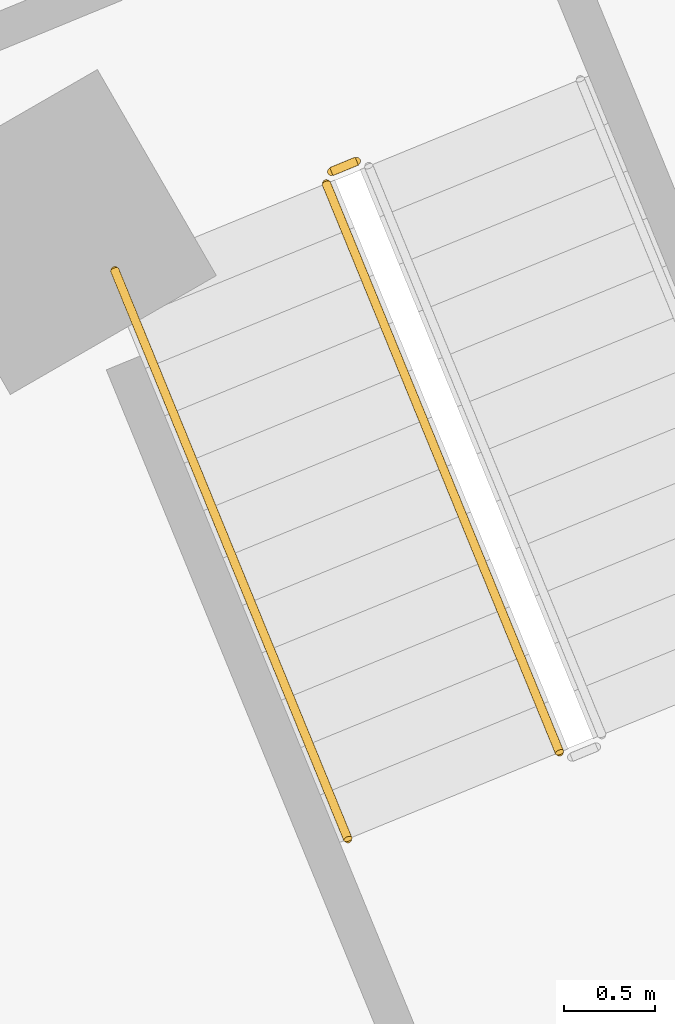
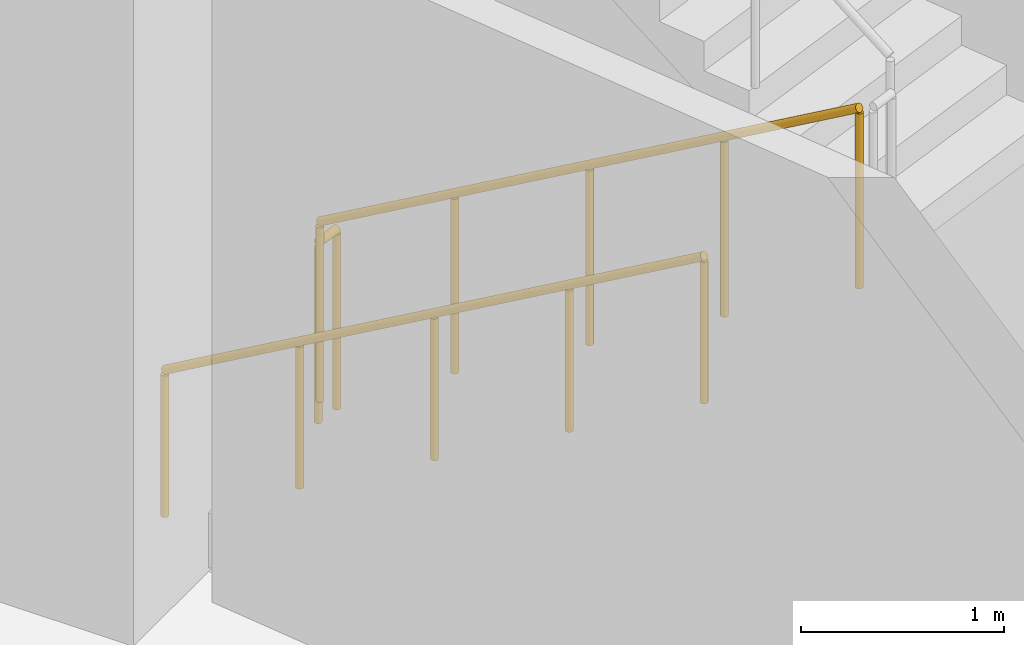
# One storey, part 38 of 40: 3 railings.
"""IFC4 building model written with IfcOpenShell, lengths in metres."""

from ifc_helpers import new_model, si_unit, direction, frame, origin, origin_2d, place, context, subcontext, project, spatial, circle, extrude, material, type_object, element, save


model = new_model("IFC4")

# Units and contexts
model_context = context("Model", 3, precision=1e-05, world=origin(), true_north=direction((0.0, 1.0)))
body_context = subcontext(model_context, "Body", "Model", "MODEL_VIEW")
ifc_project = project(units=[si_unit("LENGTHUNIT", "METRE"), si_unit("AREAUNIT", "SQUARE_METRE"), si_unit("VOLUMEUNIT", "CUBIC_METRE"), si_unit("PLANEANGLEUNIT", "RADIAN"), si_unit("MASSUNIT", "GRAM", prefix="KILO")], contexts=[model_context])

# Site, building, storey
site_placement = place(None, origin())
site = spatial("IfcSite", under=ifc_project, at=site_placement, CompositionType="ELEMENT")
building_placement = place(site_placement, origin())
building = spatial("IfcBuilding", under=site, at=building_placement, Name="Stone Belt Terrace Tower", CompositionType="ELEMENT")
storey_placement = place(building_placement, frame((0.0, 0.0, 11.60009765625)))
storey = spatial("IfcBuildingStorey", under=building, at=storey_placement, Name="L02", CompositionType="ELEMENT", Elevation=11.60009765625)

# Railings
ifc_material_1 = material(Name="Steel balustrade", Category="steel")
railing_type_1 = type_object("IfcRailingType", Name="Podium stair guard", PredefinedType="GUARDRAIL", material=ifc_material_1)
railing_1_placement = place(storey_placement, frame((58.204345703125, 33.009521484375, 0.1767578125)))
element("IfcRailing", 1, at=railing_1_placement, inside=storey, type_object=railing_type_1, Name="L02 PS4 stair guard 1", PredefinedType="GUARDRAIL", context=body_context, shape_type="SweptSolid", body=[
    extrude(circle(Radius=0.02392578125, at=origin_2d()), frame((0.0, 0.0, 1.076171875), z_axis=(0.320647790343, -0.782208613453, 0.534167276785), x_axis=(0.925275877227, 0.379294807533, 0.0)), (0.0, 0.0, 1.0), 3.974609375),
    extrude(circle(Radius=0.02099609375, at=origin_2d()), origin(), (0.0, 0.0, 1.0), 1.052001953125),
    extrude(circle(Radius=0.02099609375, at=origin_2d()), frame((0.318603515625, -0.77734375, 0.53076171875)), (0.0, 0.0, 1.0), 1.052001953125),
    extrude(circle(Radius=0.02099609375, at=origin_2d()), frame((0.63720703125, -1.554443359375, 1.0615234375)), (0.0, 0.0, 1.0), 1.052001953125),
    extrude(circle(Radius=0.02099609375, at=origin_2d()), frame((0.955810546875, -2.33154296875, 1.59228515625)), (0.0, 0.0, 1.0), 1.052001953125),
    extrude(circle(Radius=0.02099609375, at=origin_2d()), frame((1.2744140625, -3.10888671875, 2.123046875)), (0.0, 0.0, 1.0), 1.052001953125),
])
railing_2_placement = place(storey_placement, frame((58.231689453125, 33.07470703125, 0.0)))
element("IfcRailing", 2, at=railing_2_placement, inside=storey, type_object=railing_type_1, Name="L02 PS4 stair guard 4", PredefinedType="GUARDRAIL", context=body_context, shape_type="SweptSolid", body=[
    extrude(circle(Radius=0.02392578125, at=origin_2d()), frame((0.0, 0.0, 1.076171875), z_axis=(0.925417366351, 0.378949466362, 0.0), x_axis=(-0.378949466362, 0.925417366351, 0.0)), (0.0, 0.0, 1.0), 0.150146484375),
    extrude(circle(Radius=0.02099609375, at=origin_2d()), origin(), (0.0, 0.0, 1.0), 1.052001953125),
    extrude(circle(Radius=0.02099609375, at=origin_2d()), frame((0.138916015625, 0.056884765625, 0.0)), (0.0, 0.0, 1.0), 1.052001953125),
])
ifc_material_2 = material(Name="Stainless steel handrail", Category="steel")
railing_type_2 = type_object("IfcRailingType", Name="Podium stair handrail", PredefinedType="HANDRAIL", material=ifc_material_2)
railing_3_placement = place(storey_placement, frame((57.0478515625, 32.535400390625, 0.1767578125)))
element("IfcRailing", 3, at=railing_3_placement, inside=storey, type_object=railing_type_2, Name="L02 PS4 stair handrail 1", PredefinedType="HANDRAIL", context=body_context, shape_type="SweptSolid", body=[
    extrude(circle(Radius=0.02392578125, at=origin_2d()), frame((0.0, 0.0, 0.8759765625), z_axis=(0.320592677529, -0.782224019096, 0.53417779724), x_axis=(0.925301376681, 0.379232596584, 0.0)), (0.0, 0.0, 1.0), 3.974365234375),
    extrude(circle(Radius=0.02099609375, at=origin_2d()), origin(), (0.0, 0.0, 1.0), 0.851806640625),
    extrude(circle(Radius=0.02099609375, at=origin_2d()), frame((0.318603515625, -0.77734375, 0.53076171875)), (0.0, 0.0, 1.0), 0.851806640625),
    extrude(circle(Radius=0.02099609375, at=origin_2d()), frame((0.63720703125, -1.554443359375, 1.0615234375)), (0.0, 0.0, 1.0), 0.851806640625),
    extrude(circle(Radius=0.02099609375, at=origin_2d()), frame((0.95556640625, -2.33154296875, 1.59228515625)), (0.0, 0.0, 1.0), 0.851806640625),
    extrude(circle(Radius=0.02099609375, at=origin_2d()), frame((1.274169921875, -3.10888671875, 2.123046875)), (0.0, 0.0, 1.0), 0.851806640625),
])

save(model, "model.ifc")
